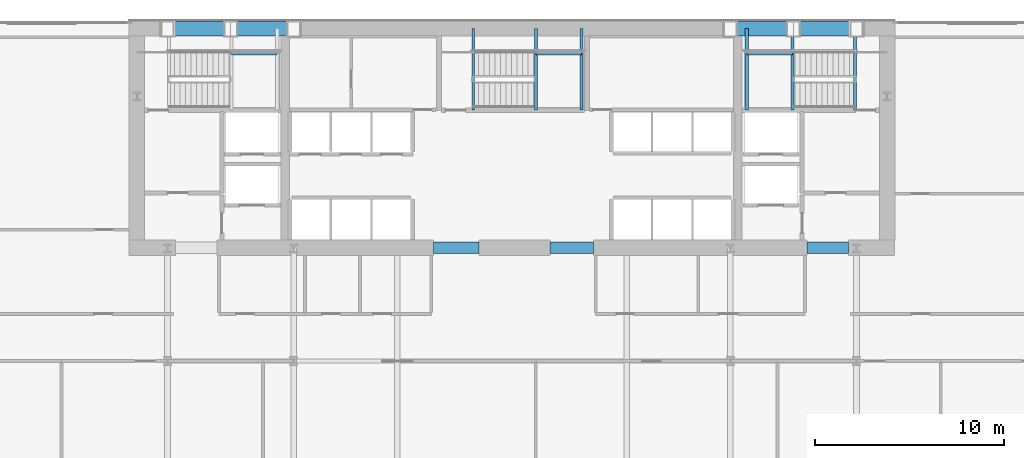
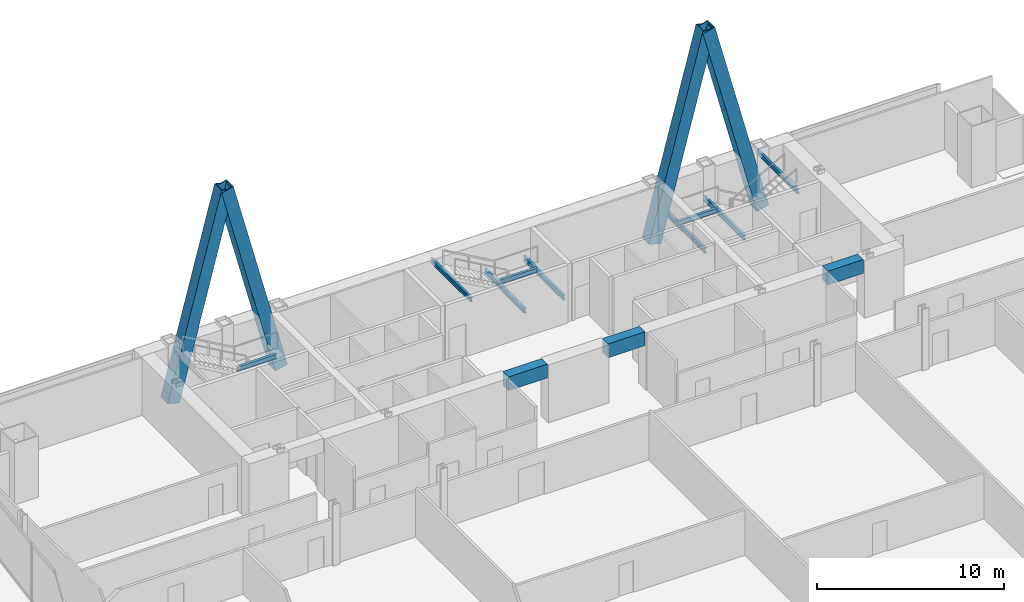
# One storey, part 18 of 32: 12 beams, 4 members.
"""IFC4 building model written with IfcOpenShell, lengths in metres."""

from ifc_helpers import new_model, si_unit, direction, frame, origin, origin_2d, place, context, subcontext, project, spatial, rectangle, hollow_rectangle, i_section, extrude, material, material_profile, profile_set, type_object, element, save


model = new_model("IFC4")

# Units and contexts
model_context = context("Model", 3, precision=1e-05, world=origin(), true_north=direction((0.0, 1.0)))
body_context = subcontext(model_context, "Body", "Model", "MODEL_VIEW")
ifc_project = project(units=[si_unit("LENGTHUNIT", "METRE"), si_unit("AREAUNIT", "SQUARE_METRE"), si_unit("VOLUMEUNIT", "CUBIC_METRE"), si_unit("PLANEANGLEUNIT", "RADIAN"), si_unit("MASSUNIT", "GRAM", prefix="KILO")], contexts=[model_context])

# Site, building, storey
site_placement = place(None, origin())
site = spatial("IfcSite", under=ifc_project, at=site_placement, CompositionType="ELEMENT")
building_placement = place(site_placement, origin())
building = spatial("IfcBuilding", under=site, at=building_placement, Name="Khoronbel Lancet Exchange", CompositionType="ELEMENT")
storey_placement = place(building_placement, frame((0.0, 0.0, 81.800048828125)))
storey = spatial("IfcBuildingStorey", under=building, at=storey_placement, Name="L19", CompositionType="ELEMENT", Elevation=81.800048828125)

# Beams
ifc_material_1 = material(Name="Steel S355", Category="steel")
ifc_material_profile_1 = material_profile(ifc_material_1, i_section(OverallWidth=0.159912109375, OverallDepth=0.330078125, WebThickness=0.007568359375, FlangeThickness=0.011474609375, at=origin_2d()), Name="IPE 330")
ifc_profile_set_1 = profile_set([ifc_material_profile_1], Name="Steel S355")
beam_type_1 = type_object("IfcBeamType", Name="BM-BJ7", PredefinedType="JOIST", material=ifc_profile_set_1)
beam_1_placement = place(storey_placement, frame((21.610107421875, 51.97998046875, 1.635009765625), z_axis=(1.0, 0.0, 0.0), x_axis=(0.0, 1.0, 0.0)))
element("IfcBeam", 1, at=beam_1_placement, inside=storey, type_object=beam_type_1, Name="Level L19 stair ST1 landing cross trimmer beam 1", PredefinedType="JOIST", context=body_context, shape_type="SweptSolid", body=[
    extrude(i_section(OverallWidth=0.159912109375, OverallDepth=0.330078125, WebThickness=0.007568359375, FlangeThickness=0.011474609375, at=origin_2d()), origin(), (0.0, 0.0, 1.0), 2.419921875),
])
for number, where, z_axis, x_axis, name in (
    (2, (51.2900390625, 48.97998046875, 1.635009765625), (0.0, 1.0, 0.0), (-1.0, 0.0, 0.0), "Level L19 stair ST2 landing bearer beam 1"),
    (3, (48.8701171875, 48.97998046875, 1.635009765625), (0.0, 1.0, 0.0), (-1.0, 0.0, 0.0), "Level L19 stair ST2 rear landing bearer beam 1"),
):
    element("IfcBeam", number, at=place(storey_placement, frame(where, z_axis=z_axis, x_axis=x_axis)), inside=storey, type_object=beam_type_1, Name=name, PredefinedType="JOIST", context=body_context, shape_type="SweptSolid", body=[
        extrude(i_section(OverallWidth=0.159912109375, OverallDepth=0.330078125, WebThickness=0.007568359375, FlangeThickness=0.011474609375, at=origin_2d()), origin(), (0.0, 0.0, 1.0), 4.320068359375),
    ])
beam_2_placement = place(storey_placement, frame((48.8701171875, 51.97998046875, 1.635009765625), z_axis=(1.0, 0.0, 0.0), x_axis=(0.0, 1.0, 0.0)))
element("IfcBeam", 4, at=beam_2_placement, inside=storey, type_object=beam_type_1, Name="Level L19 stair ST2 landing cross trimmer beam 1", PredefinedType="JOIST", context=body_context, shape_type="SweptSolid", body=[
    extrude(i_section(OverallWidth=0.159912109375, OverallDepth=0.330078125, WebThickness=0.007568359375, FlangeThickness=0.011474609375, at=origin_2d()), origin(), (0.0, 0.0, 1.0), 2.419921875),
])
for number, where, z_axis, x_axis, name in (
    (5, (37.7099609375, 48.97998046875, 1.635009765625), (0.0, 1.0, 0.0), (-1.0, 0.0, 0.0), "Level L19 stair ST3 landing bearer beam 1"),
    (6, (40.1298828125, 48.97998046875, 1.635009765625), (0.0, 1.0, 0.0), (-1.0, 0.0, 0.0), "Level L19 stair ST3 rear landing bearer beam 1"),
):
    element("IfcBeam", number, at=place(storey_placement, frame(where, z_axis=z_axis, x_axis=x_axis)), inside=storey, type_object=beam_type_1, Name=name, PredefinedType="JOIST", context=body_context, shape_type="SweptSolid", body=[
        extrude(i_section(OverallWidth=0.159912109375, OverallDepth=0.330078125, WebThickness=0.007568359375, FlangeThickness=0.011474609375, at=origin_2d()), origin(), (0.0, 0.0, 1.0), 4.320068359375),
    ])
beam_3_placement = place(storey_placement, frame((37.7099609375, 51.97998046875, 1.635009765625), z_axis=(1.0, 0.0, 0.0), x_axis=(0.0, 1.0, 0.0)))
element("IfcBeam", 7, at=beam_3_placement, inside=storey, type_object=beam_type_1, Name="Level L19 stair ST3 landing cross trimmer beam 1", PredefinedType="JOIST", context=body_context, shape_type="SweptSolid", body=[
    extrude(i_section(OverallWidth=0.159912109375, OverallDepth=0.330078125, WebThickness=0.007568359375, FlangeThickness=0.011474609375, at=origin_2d()), origin(), (0.0, 0.0, 1.0), 2.419921875),
])
ifc_material_profile_2 = material_profile(ifc_material_1, i_section(OverallWidth=0.14990234375, OverallDepth=0.300048828125, WebThickness=0.007080078125, FlangeThickness=0.0107421875, at=origin_2d()), Name="IPE 300")
ifc_profile_set_2 = profile_set([ifc_material_profile_2], Name="Steel S355")
beam_type_2 = type_object("IfcBeamType", Name="BM-BJ8", PredefinedType="JOIST", material=ifc_profile_set_2)
for number, where, z_axis, x_axis, name in (
    (8, (54.60009765625, 48.97998046875, 3.5), (0.0, 1.0, 0.0), (-1.0, 0.0, 0.0), "Level L19 stair ST2 upper-flight arrival trimmer beam"),
    (9, (34.39990234375, 48.97998046875, 3.5), (0.0, 1.0, 0.0), (-1.0, 0.0, 0.0), "Level L19 stair ST3 upper-flight arrival trimmer beam"),
):
    element("IfcBeam", number, at=place(storey_placement, frame(where, z_axis=z_axis, x_axis=x_axis)), inside=storey, type_object=beam_type_2, Name=name, PredefinedType="JOIST", context=body_context, shape_type="SweptSolid", body=[
        extrude(i_section(OverallWidth=0.14990234375, OverallDepth=0.300048828125, WebThickness=0.007080078125, FlangeThickness=0.0107421875, at=origin_2d()), origin(), (0.0, 0.0, 1.0), 4.320068359375),
    ])
ifc_material_2 = material(Name="Concrete C80/95", Category="concrete")
ifc_material_profile_3 = material_profile(ifc_material_2, rectangle(XDim=0.60009765625, YDim=0.89990234375, at=origin_2d()), Name="RC 600x900")
ifc_profile_set_3 = profile_set([ifc_material_profile_3], Name="Concrete C80/95")
beam_type_3 = type_object("IfcBeamType", Name="BM-BL1", PredefinedType="LINTEL", material=ifc_profile_set_3)
beam_4_placement = place(storey_placement, frame((32.300048828125, 41.699951171875, 3.329833984375), z_axis=(1.0, 0.0, 0.0), x_axis=(0.0, 1.0, 0.0)))
element("IfcBeam", 10, at=beam_4_placement, inside=storey, type_object=beam_type_3, Name="Level L19 rear core coupling lintel L2", PredefinedType="LINTEL", context=body_context, shape_type="SweptSolid", body=[
    extrude(rectangle(XDim=0.60009765625, YDim=0.89990234375, at=origin_2d()), origin(), (0.0, 0.0, 1.0), 2.39990234375),
])
beam_5_placement = place(storey_placement, frame((38.449951171875, 41.699951171875, 3.329833984375), z_axis=(1.0, 0.0, 0.0), x_axis=(0.0, 1.0, 0.0)))
element("IfcBeam", 11, at=beam_5_placement, inside=storey, type_object=beam_type_3, Name="Level L19 rear core coupling lintel L3", PredefinedType="LINTEL", context=body_context, shape_type="SweptSolid", body=[
    extrude(rectangle(XDim=0.60009765625, YDim=0.89990234375, at=origin_2d()), origin(), (0.0, 0.0, 1.0), 2.300048828125),
])
beam_6_placement = place(storey_placement, frame((52.050048828125, 41.699951171875, 3.329833984375), z_axis=(1.0, 0.0, 0.0), x_axis=(0.0, 1.0, 0.0)))
element("IfcBeam", 12, at=beam_6_placement, inside=storey, type_object=beam_type_3, Name="Level L19 rear core coupling lintel L4", PredefinedType="LINTEL", context=body_context, shape_type="SweptSolid", body=[
    extrude(rectangle(XDim=0.60009765625, YDim=0.89990234375, at=origin_2d()), origin(), (0.0, 0.0, 1.0), 2.199951171875),
])

# Members
ifc_material_3 = material(Name="Steel S460", Category="steel")
ifc_material_profile_4 = material_profile(ifc_material_3, hollow_rectangle(XDim=0.760009765625, YDim=0.760009765625, WallThickness=0.054931640625, at=origin_2d()), Name="BOX 760x760x55")
ifc_profile_set_4 = profile_set([ifc_material_profile_4], Name="Steel S460")
member_type = type_object("IfcMemberType", Name="MEM-MB1", PredefinedType="BRACE", material=ifc_profile_set_4)
for number, where, z_axis, x_axis, name in (
    (13, (18.22509765625, 53.280029296875, 0.0), (0.252298678365, 0.0, 0.967649408048), (0.0, 1.0, 0.0), "Perimeter lancet brace tier 6 N-W-L"),
    (14, (24.89990234375, 53.280029296875, 0.0), (-0.252298678365, 0.0, 0.967649408048), (0.0, -1.0, 0.0), "Perimeter lancet brace tier 6 N-W-R"),
    (15, (48.0, 53.280029296875, 0.0), (0.252298678365, 0.0, 0.967649408048), (0.0, 1.0, 0.0), "Perimeter lancet brace tier 6 N-E-L"),
    (16, (54.675048828125, 53.280029296875, 0.0), (-0.252315959788, 0.0, 0.967644902036), (0.0, -1.0, 0.0), "Perimeter lancet brace tier 6 N-E-R"),
):
    element("IfcMember", number, at=place(storey_placement, frame(where, z_axis=z_axis, x_axis=x_axis)), inside=storey, type_object=member_type, Name=name, PredefinedType="BRACE", context=body_context, shape_type="SweptSolid", body=[
        extrude(hollow_rectangle(XDim=0.760009765625, YDim=0.760009765625, WallThickness=0.054931640625, at=origin_2d()), origin(), (0.0, 0.0, 1.0), 13.22802734375),
    ])

save(model, "model.ifc")
